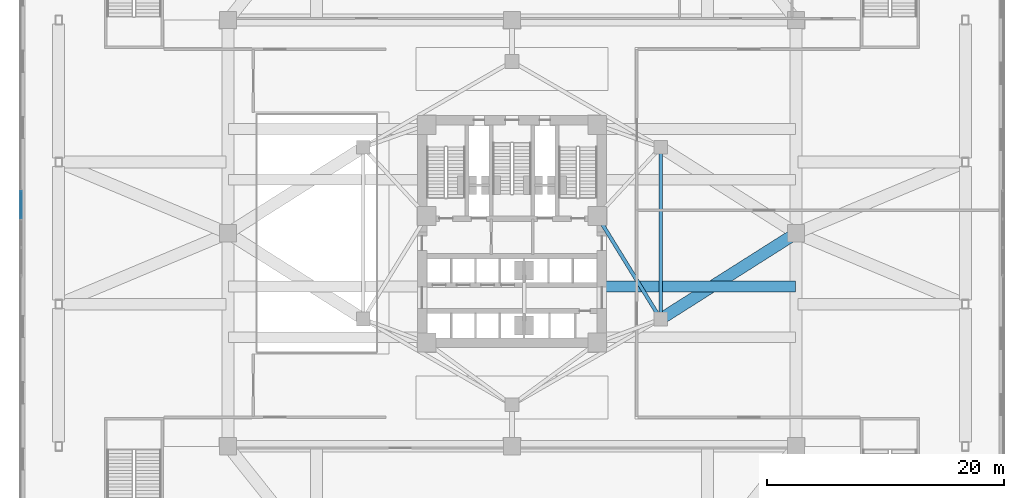
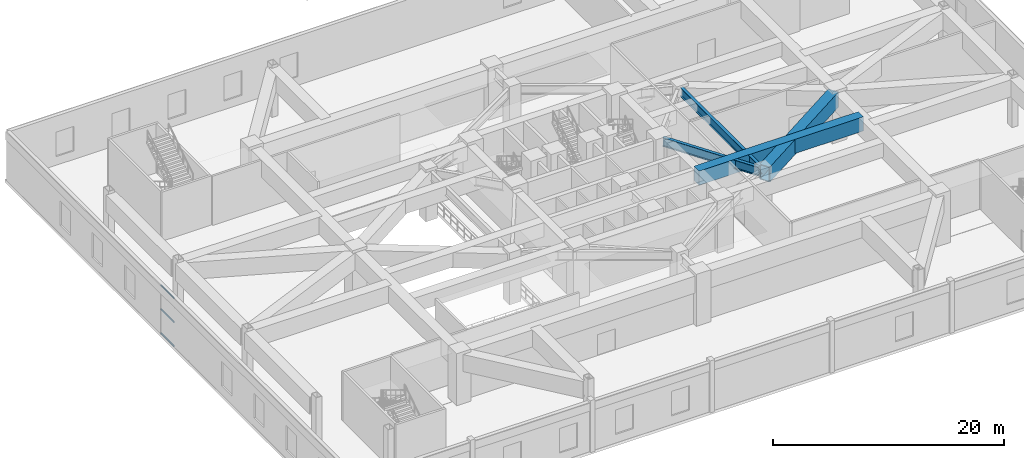
# One storey, part 4 of 23: 4 beams, 3 members, 1 element without a shape of its own.
"""IFC4 building model written with IfcOpenShell, lengths in metres."""

from ifc_helpers import new_model, si_unit, direction, frame, origin, origin_2d, place, context, subcontext, project, spatial, rectangle, hollow_rectangle, i_section, extrude, material, layer, layer_set, material_profile, profile_set, type_object, element, aggregate, save


model = new_model("IFC4")

# Units and contexts
model_context = context("Model", 3, precision=1e-05, world=origin(), true_north=direction((0.0, 1.0)))
body_context = subcontext(model_context, "Body", "Model", "MODEL_VIEW")
ifc_project = project(units=[si_unit("LENGTHUNIT", "METRE"), si_unit("AREAUNIT", "SQUARE_METRE"), si_unit("VOLUMEUNIT", "CUBIC_METRE"), si_unit("PLANEANGLEUNIT", "RADIAN"), si_unit("MASSUNIT", "GRAM", prefix="KILO")], contexts=[model_context])

# Site, building, storey
site_placement = place(None, origin())
site = spatial("IfcSite", under=ifc_project, at=site_placement, CompositionType="ELEMENT")
building_placement = place(site_placement, origin())
building = spatial("IfcBuilding", under=site, at=building_placement, Name="Apsidion Concourse Tower", CompositionType="ELEMENT")
storey_placement = place(building_placement, frame((0.0, 0.0, 6.0)))
storey = spatial("IfcBuildingStorey", under=building, at=storey_placement, Name="L01", CompositionType="ELEMENT", Elevation=6.0)

# Beams
ifc_material_1 = material(Name="Structural steel ASTM A992 Grade 50", Category="steel")
ifc_material_profile_1 = material_profile(ifc_material_1, i_section(OverallWidth=0.31005859375, OverallDepth=0.931884765625, WebThickness=0.02099609375, FlangeThickness=0.034423828125, at=origin_2d()), Name="W36X210")
ifc_profile_set_1 = profile_set([ifc_material_profile_1], Name="Structural steel ASTM A992 Grade 50")
beam_type_1 = type_object("IfcBeamType", Name="BM-G-W36", PredefinedType="USERDEFINED", material=ifc_profile_set_1)
beam_1_placement = place(storey_placement, frame((12.35009765625, -6.909423828125, 4.73388671875), z_axis=(-0.524524009763, 0.851395656074, 0.0), x_axis=(-0.851395656074, -0.524524009763, 0.0)))
element("IfcBeam", 1, at=beam_1_placement, inside=storey, type_object=beam_type_1, Name="L01 Core Coupling Girder IC2-SC3", ObjectType="GIRDER", PredefinedType="USERDEFINED", context=body_context, shape_type="SweptSolid", body=[
    extrude(i_section(OverallWidth=0.31005859375, OverallDepth=0.931884765625, WebThickness=0.02099609375, FlangeThickness=0.034423828125, at=origin_2d()), origin(), (0.0, 0.0, 1.0), 9.41845703125),
])
beam_2_placement = place(storey_placement, frame((12.56005859375, 6.85009765625, 4.73388671875), z_axis=(0.0, -1.0, 0.0), x_axis=(1.0, 0.0, 0.0)))
element("IfcBeam", 2, at=beam_2_placement, inside=storey, type_object=beam_type_1, Name="L01 Core Coupling Girder IC3-IC2", ObjectType="GIRDER", PredefinedType="USERDEFINED", context=body_context, shape_type="SweptSolid", body=[
    extrude(i_section(OverallWidth=0.31005859375, OverallDepth=0.931884765625, WebThickness=0.02099609375, FlangeThickness=0.034423828125, at=origin_2d()), origin(), (0.0, 0.0, 1.0), 13.7001953125),
])
ifc_material_2 = material(Name="Concrete C50/60", Category="concrete")
ifc_material_profile_2 = material_profile(ifc_material_2, rectangle(XDim=0.89990234375, YDim=1.5, at=origin_2d()), Name="RC 900x1500")
ifc_profile_set_2 = profile_set([ifc_material_profile_2], Name="Concrete C50/60")
beam_type_2 = type_object("IfcBeamType", Name="BM-TB-RC15", PredefinedType="T_BEAM", material=ifc_profile_set_2)
beam_3_placement = place(storey_placement, frame((7.5, -4.5, 4.449951171875), z_axis=(1.0, 0.0, 0.0), x_axis=(0.0, 1.0, 0.0)))
element("IfcBeam", 3, at=beam_3_placement, inside=storey, type_object=beam_type_2, Name="L01 Convention Long-Span Tee Beam E2", PredefinedType="T_BEAM", context=body_context, shape_type="SweptSolid", body=[
    extrude(rectangle(XDim=0.89990234375, YDim=1.5, at=origin_2d()), origin(), (0.0, 0.0, 1.0), 16.449951171875),
])
ifc_material_3 = material(Name="Structural steel ASTM A572 Grade 50", Category="steel")
ifc_material_profile_3 = material_profile(ifc_material_3, hollow_rectangle(XDim=1.0, YDim=1.60009765625, WallThickness=0.074951171875, at=origin_2d()), Name="BOX1600X1000X75")
ifc_profile_set_3 = profile_set([ifc_material_profile_3], Name="Structural steel ASTM A572 Grade 50")
beam_type_3 = type_object("IfcBeamType", Name="BM-TR-1600", PredefinedType="USERDEFINED", material=ifc_profile_set_3)
beam_4_placement = place(storey_placement, frame((23.704345703125, -0.1875, 4.39990234375), z_axis=(-0.844671254714, -0.535285411215, 0.0), x_axis=(0.535285411215, -0.844671254714, 0.0)))
element("IfcBeam", 4, at=beam_4_placement, inside=storey, type_object=beam_type_3, Name="L01 Podium Girder MC4-IC2", ObjectType="GIRDER", PredefinedType="USERDEFINED", context=body_context, shape_type="SweptSolid", body=[
    extrude(hollow_rectangle(XDim=1.0, YDim=1.60009765625, WallThickness=0.074951171875, at=origin_2d()), origin(), (0.0, 0.0, 1.0), 12.843505859375),
])

# Curtain wall, members
ifc_material_4 = material(Name="Insulated laminated low-E glass", Category="glass")
ifc_layer = layer(ifc_material_4, 0.18994140625)
ifc_layer_set = layer_set([ifc_layer], Name="Insulated laminated low-E glass")
curtain_wall_type = type_object("IfcCurtainWallType", Name="CW-SYS-01", PredefinedType="NOTDEFINED", material=ifc_layer_set)
curtain_wall_placement = place(storey_placement, origin())
curtain_wall = element("IfcCurtainWall", 5, at=curtain_wall_placement, inside=storey, type_object=curtain_wall_type, Name="L01 Podium Glazed Curtain Wall W", PredefinedType="NOTDEFINED")
ifc_material_5 = material(Name="Anodised aluminium EN AW-6063 T6", Category="aluminium")
ifc_material_profile_4 = material_profile(ifc_material_5, rectangle(XDim=0.074951171875, YDim=0.159912109375, at=origin_2d()), Name="ALU TRANSOM 75x160")
ifc_profile_set_4 = profile_set([ifc_material_profile_4], Name="Anodised aluminium EN AW-6063 T6")
member_type = type_object("IfcMemberType", Name="CWT-75X160", PredefinedType="USERDEFINED", material=ifc_profile_set_4)
member_1_placement = place(storey_placement, frame((-41.43994140625, 1.24951171875, 0.03759765625), z_axis=(0.0, 1.0, 0.0), x_axis=(-1.0, 0.0, 0.0)))
member_1 = element("IfcMember", 6, at=member_1_placement, type_object=member_type, Name="CW-01 transom 3.1", ObjectType="TRANSOM", PredefinedType="USERDEFINED", context=body_context, shape_type="SweptSolid", body=[
    extrude(rectangle(XDim=0.074951171875, YDim=0.159912109375, at=origin_2d()), origin(), (0.0, 0.0, 1.0), 2.3115234375),
])
member_2_placement = place(storey_placement, frame((-41.43994140625, 1.24951171875, 2.574951171875), z_axis=(0.0, 1.0, 0.0), x_axis=(-1.0, 0.0, 0.0)))
member_2 = element("IfcMember", 7, at=member_2_placement, type_object=member_type, Name="CW-01 transom 3.2", ObjectType="TRANSOM", PredefinedType="USERDEFINED", context=body_context, shape_type="SweptSolid", body=[
    extrude(rectangle(XDim=0.074951171875, YDim=0.159912109375, at=origin_2d()), origin(), (0.0, 0.0, 1.0), 2.3115234375),
])
member_3_placement = place(storey_placement, frame((-41.43994140625, 1.24951171875, 5.112548828125), z_axis=(0.0, 1.0, 0.0), x_axis=(-1.0, 0.0, 0.0)))
member_3 = element("IfcMember", 8, at=member_3_placement, type_object=member_type, Name="CW-01 transom 3.3", ObjectType="TRANSOM", PredefinedType="USERDEFINED", context=body_context, shape_type="SweptSolid", body=[
    extrude(rectangle(XDim=0.074951171875, YDim=0.159912109375, at=origin_2d()), origin(), (0.0, 0.0, 1.0), 2.3115234375),
])
aggregate(curtain_wall, [member_1, member_2, member_3])

save(model, "model.ifc")
